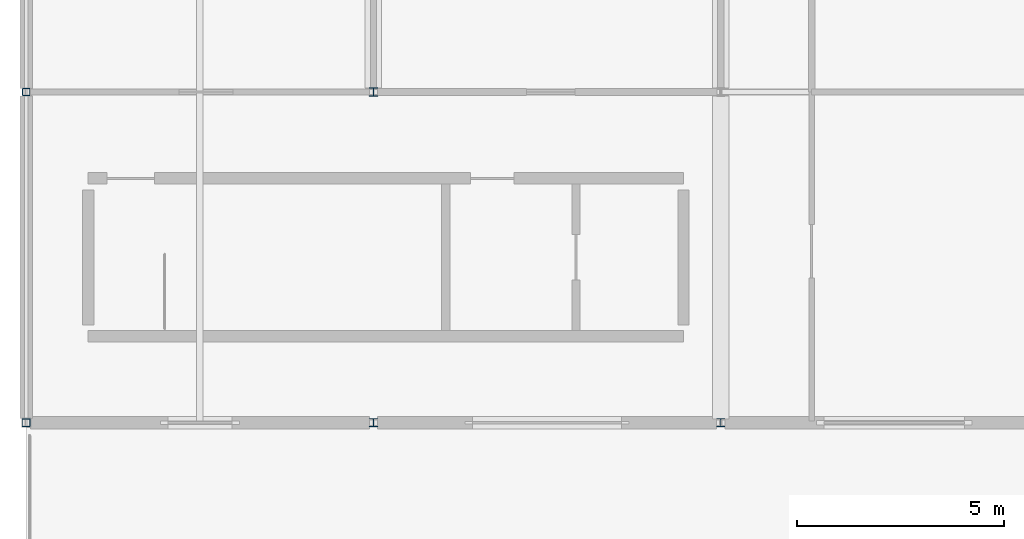
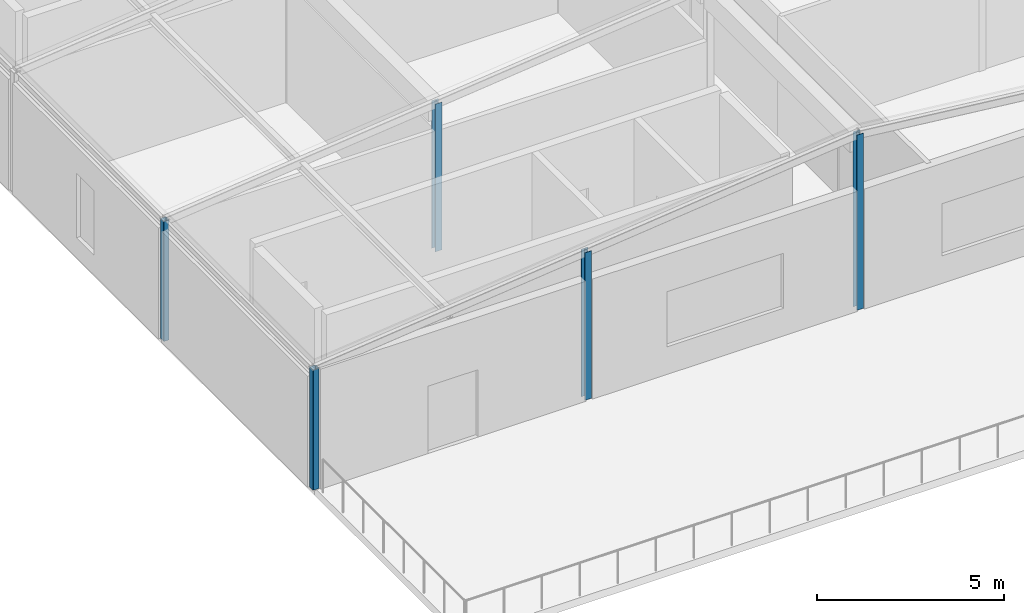
# One storey, part 1 of 25: 5 columns.
"""IFC4 building model written with IfcOpenShell, lengths in metres."""

from ifc_helpers import new_model, si_unit, direction, frame, origin, origin_2d, place, context, subcontext, project, spatial, hollow_rectangle, i_section, extrude, material, material_profile, profile_set, type_object, element, save


model = new_model("IFC4")

# Units and contexts
model_context = context("Model", 3, precision=1e-05, world=origin(), true_north=direction((0.0, 1.0)))
body_context = subcontext(model_context, "Body", "Model", "MODEL_VIEW")
ifc_project = project(units=[si_unit("LENGTHUNIT", "METRE"), si_unit("AREAUNIT", "SQUARE_METRE"), si_unit("VOLUMEUNIT", "CUBIC_METRE"), si_unit("PLANEANGLEUNIT", "RADIAN"), si_unit("MASSUNIT", "GRAM", prefix="KILO")], contexts=[model_context])

# Site, building, storey
site_placement = place(None, origin())
site = spatial("IfcSite", under=ifc_project, at=site_placement, CompositionType="ELEMENT")
building_placement = place(site_placement, origin())
building = spatial("IfcBuilding", under=site, at=building_placement, Name="Kranzveld Transit Interchange", CompositionType="ELEMENT")
storey_placement = place(building_placement, frame((0.0, 0.0, 21.0400390625)))
storey = spatial("IfcBuildingStorey", under=building, at=storey_placement, Name="L05", CompositionType="ELEMENT", Elevation=21.0400390625)

# Columns
ifc_material_1 = material(Name="Steel S355JR", Category="steel")
ifc_material_profile_1 = material_profile(ifc_material_1, i_section(OverallWidth=0.20361328125, OverallDepth=0.203125, WebThickness=0.007080078125, FlangeThickness=0.010986328125, FilletRadius=0.01025390625, at=origin_2d()), Name="UC 203x203x46")
ifc_profile_set_1 = profile_set([ifc_material_profile_1], Name="Steel S355JR")
column_type_1 = type_object("IfcColumnType", Name="Column Steel UC 203x203x46 S355JR", PredefinedType="COLUMN", material=ifc_profile_set_1)
for number, where, z_axis, x_axis, name in (
    (1, (8.39990234375, 64.0, 0.0), (0.0, 0.0, 1.0), (1.0, 0.0, 0.0), "L05 Column 02/J"),
    (2, (8.39990234375, 72.0, 0.0), (0.0, 0.0, 1.0), (1.0, 0.0, 0.0), "L05 Column 02/K"),
):
    element("IfcColumn", number, at=place(storey_placement, frame(where, z_axis=z_axis, x_axis=x_axis)), inside=storey, type_object=column_type_1, Name=name, PredefinedType="COLUMN", context=body_context, shape_type="SweptSolid", body=[
        extrude(i_section(OverallWidth=0.20361328125, OverallDepth=0.203125, WebThickness=0.007080078125, FlangeThickness=0.010986328125, FilletRadius=0.01025390625, at=origin_2d()), origin(), (0.0, 0.0, 1.0), 4.820068359375),
    ])
column_1_placement = place(storey_placement, frame((16.800048828125, 64.0, 0.0), z_axis=(0.0, 0.0, 1.0), x_axis=(1.0, 0.0, 0.0)))
element("IfcColumn", 3, at=column_1_placement, inside=storey, type_object=column_type_1, Name="L05 Column 03/J", PredefinedType="COLUMN", context=body_context, shape_type="SweptSolid", body=[
    extrude(i_section(OverallWidth=0.20361328125, OverallDepth=0.203125, WebThickness=0.007080078125, FlangeThickness=0.010986328125, FilletRadius=0.01025390625, at=origin_2d()), origin(), (0.0, 0.0, 1.0), 5.719970703125),
])
ifc_material_2 = material(Name="Steel S355JR", Category="steel")
ifc_material_profile_2 = material_profile(ifc_material_2, hollow_rectangle(XDim=0.179931640625, YDim=0.179931640625, WallThickness=0.008056640625, InnerFilletRadius=0.011962890625, OuterFilletRadius=0.02001953125, at=origin_2d()), Name="SHS 180x180x8")
ifc_profile_set_2 = profile_set([ifc_material_profile_2], Name="Steel S355JR")
column_type_2 = type_object("IfcColumnType", Name="Landing Post SHS 180x180x8 S355JR", PredefinedType="COLUMN", material=ifc_profile_set_2)
column_2_placement = place(storey_placement, frame((0.0, 72.0, 0.0), z_axis=(0.0, 0.0, 1.0), x_axis=(1.0, 0.0, 0.0)))
element("IfcColumn", 4, at=column_2_placement, inside=storey, type_object=column_type_2, Name="L05 Column 01/K", PredefinedType="COLUMN", context=body_context, shape_type="SweptSolid", body=[
    extrude(hollow_rectangle(XDim=0.179931640625, YDim=0.179931640625, WallThickness=0.008056640625, InnerFilletRadius=0.011962890625, OuterFilletRadius=0.02001953125, at=origin_2d()), origin(), (0.0, 0.0, 1.0), 3.919921875),
])
ifc_material_3 = material(Name="Steel S355JR", Category="steel")
ifc_material_profile_3 = material_profile(ifc_material_3, hollow_rectangle(XDim=0.199951171875, YDim=0.199951171875, WallThickness=0.010009765625, InnerFilletRadius=0.014892578125, OuterFilletRadius=0.02490234375, at=origin_2d()), Name="SHS 200x200x10")
ifc_profile_set_3 = profile_set([ifc_material_profile_3], Name="Steel S355JR")
column_type_3 = type_object("IfcColumnType", Name="Pavilion Post SHS 200x200x10 S355JR", PredefinedType="COLUMN", material=ifc_profile_set_3)
column_3_placement = place(storey_placement, frame((0.0, 64.0, 0.0), z_axis=(0.0, 0.0, 1.0), x_axis=(1.0, 0.0, 0.0)))
element("IfcColumn", 5, at=column_3_placement, inside=storey, type_object=column_type_3, Name="L05 Column 01/J", PredefinedType="COLUMN", context=body_context, shape_type="SweptSolid", body=[
    extrude(hollow_rectangle(XDim=0.199951171875, YDim=0.199951171875, WallThickness=0.010009765625, InnerFilletRadius=0.014892578125, OuterFilletRadius=0.02490234375, at=origin_2d()), origin(), (0.0, 0.0, 1.0), 3.919921875),
])

save(model, "model.ifc")
